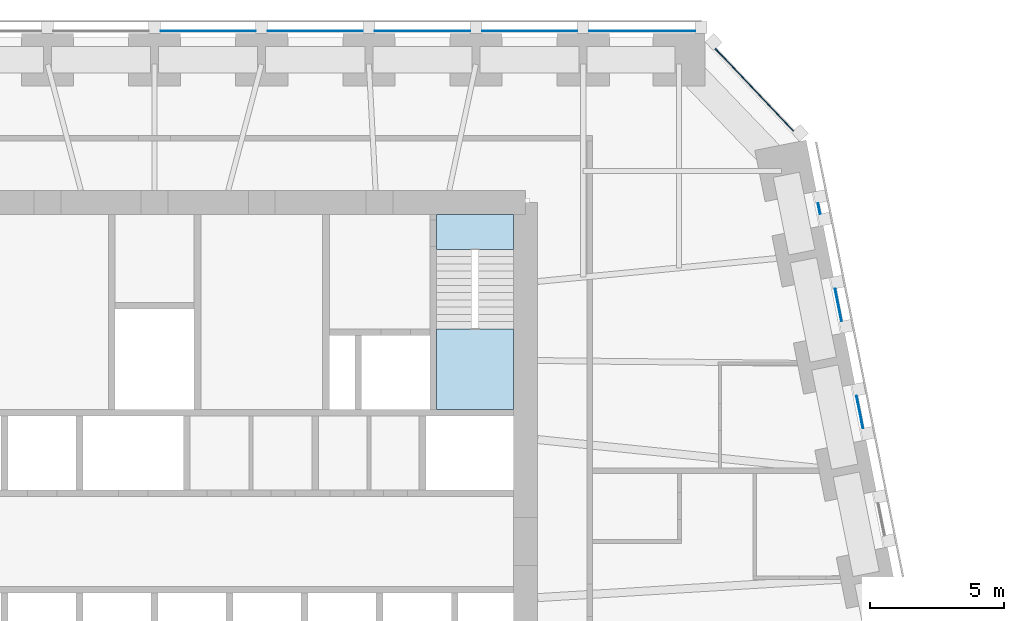
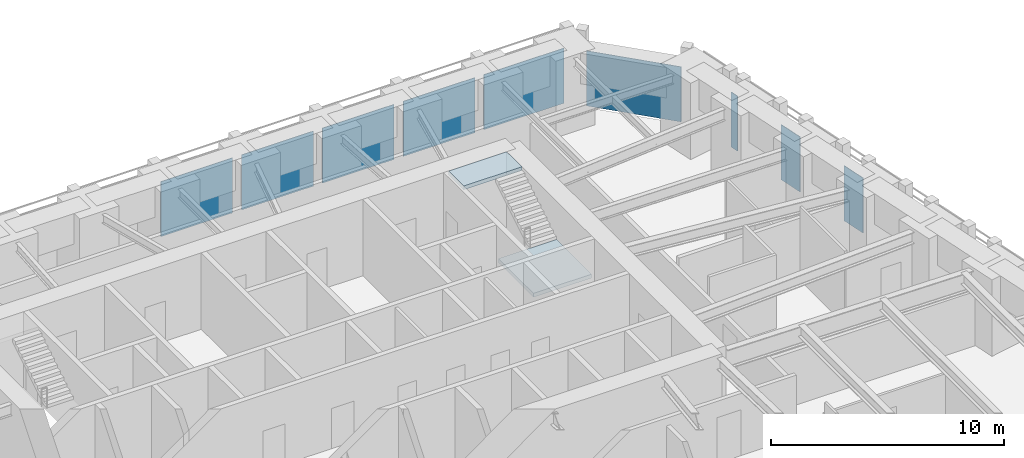
# One storey, part 11 of 16: 9 plates, 2 slabs, 6 elements without a shape of their own.
"""IFC4 building model written with IfcOpenShell, lengths in metres."""

import ifcopenshell
import ifcopenshell.guid

model = None  # the IFC model being written
_history = None  # IfcOwnerHistory: only IFC2X3 demands one
_inside = {}  # id of a spatial element -> (the spatial element, [elements in it])
_under = {}  # id of a project, library or spatial element -> (it, [spatial elements below it])
_declared = {}  # id of a project -> (the project, [libraries it declares])
_typed = {}  # id of a type object -> (the type object, [elements of that type])
_made_of = {}  # id of a material, layer set ... -> (it, [elements and type objects made of it])


def new_model(schema):
    """Start an empty IFC model of exactly this schema.

    Asked for "IFC4X3", IfcOpenShell would pick the latest addendum, in which some entities
    have other attributes; the version numbers below select the first issue.
    IFC2X3 requires an IfcOwnerHistory on every rooted entity: one is made here for all.
    """
    global model, _history
    if schema == "IFC4X3":
        model = ifcopenshell.file(schema_version=(4, 3, 0, 0))
    else:
        model = ifcopenshell.file(schema=schema)
    _inside.clear()
    _under.clear()
    _declared.clear()
    _typed.clear()
    _made_of.clear()
    _history = None
    if model.schema == "IFC2X3":
        org = make("IfcOrganization", Name="unknown")
        user = make(
            "IfcPersonAndOrganization",
            ThePerson=make("IfcPerson", FamilyName="unknown"),
            TheOrganization=org,
        )
        app = make(
            "IfcApplication",
            ApplicationDeveloper=org,
            Version="unknown",
            ApplicationFullName="unknown",
            ApplicationIdentifier="unknown",
        )
        _history = make(
            "IfcOwnerHistory",
            OwningUser=user,
            OwningApplication=app,
            ChangeAction="ADDED",
            CreationDate=0,
        )
    return model


def make(cls, **values):
    """One entity of the class cls with the attributes given. An attribute that is None is left unset."""
    return model.create_entity(
        cls, **{name: value for name, value in values.items() if value is not None}
    )


def rooted(cls, **values):
    """An entity with a GlobalId (a new one), such as an element, a storey or a relation."""
    return make(cls, GlobalId=ifcopenshell.guid.new(), OwnerHistory=_history, **values)


def si_unit(unit_type, name, prefix=None):
    """IfcSIUnit, for example si_unit("LENGTHUNIT", "METRE", prefix="MILLI")."""
    return make("IfcSIUnit", UnitType=unit_type, Prefix=prefix, Name=name)


def assignment(units):
    """IfcUnitAssignment: the units of a project."""
    return None if units is None else make("IfcUnitAssignment", Units=units)


def point(xyz):
    """IfcCartesianPoint."""
    return None if xyz is None else make("IfcCartesianPoint", Coordinates=xyz)


def direction(xyz):
    """IfcDirection."""
    return None if xyz is None else make("IfcDirection", DirectionRatios=xyz)


def frame(location, z_axis=None, x_axis=None):
    """IfcAxis2Placement3D, a coordinate frame: its origin and axes. An axis left out is left unset."""
    return make(
        "IfcAxis2Placement3D",
        Location=point(location),
        Axis=direction(z_axis),
        RefDirection=direction(x_axis),
    )


def frame_2d(location, x_axis=None):
    """IfcAxis2Placement2D, a coordinate frame in the plane: its origin and x axis."""
    return make(
        "IfcAxis2Placement2D", Location=point(location), RefDirection=direction(x_axis)
    )


def origin():
    """The frame at (0, 0, 0) with its axes left unset."""
    return frame((0.0, 0.0, 0.0))


def origin_2d():
    """The frame at (0, 0) in the plane with its x axis left unset."""
    return frame_2d((0.0, 0.0))


def place(relative_to, where):
    """IfcLocalPlacement: puts the frame where relative to a parent placement (None: the world)."""
    return make(
        "IfcLocalPlacement", PlacementRelTo=relative_to, RelativePlacement=where
    )


def context(
    kind, dimensions, precision=None, world=None, true_north=None, identifier=None
):
    """IfcGeometricRepresentationContext, for example the 3D "Model" context."""
    return make(
        "IfcGeometricRepresentationContext",
        ContextIdentifier=identifier,
        ContextType=kind,
        CoordinateSpaceDimension=dimensions,
        Precision=precision,
        WorldCoordinateSystem=world,
        TrueNorth=true_north,
    )


def subcontext(parent, identifier, kind, view, scale=None):
    """IfcGeometricRepresentationSubContext, for example "Body" below "Model"."""
    return make(
        "IfcGeometricRepresentationSubContext",
        ContextIdentifier=identifier,
        ContextType=kind,
        ParentContext=parent,
        TargetScale=scale,
        TargetView=view,
    )


def project(units=None, contexts=None):
    """IfcProject with its units and contexts."""
    return rooted(
        "IfcProject",
        Name="project",
        RepresentationContexts=contexts,
        UnitsInContext=assignment(units),
    )


def spatial(cls, under=None, at=None, **own):
    """A site, building, storey or space (cls), placed at a placement, below another one or the project."""
    s = rooted(cls, ObjectPlacement=at, **own)
    if under is not None:
        _under.setdefault(under.id(), (under, []))[1].append(s)
    return s


def polyline(points):
    """IfcPolyline through the points."""
    return make("IfcPolyline", Points=[point(p) for p in points])


def profile(cls, at=None, kind="AREA", **sizes):
    """A parametric profile (cls). Its sizes go by their IFC names, for example OverallWidth=200.0."""
    return make(cls, ProfileType=kind, Position=at, **sizes)


def rectangle(**sizes):
    """IfcRectangleProfileDef."""
    return profile("IfcRectangleProfileDef", **sizes)


def outline(outer, holes=None, kind="AREA"):
    """IfcArbitraryClosedProfileDef: a profile drawn as a closed curve; with holes, ...WithVoids."""
    if holes is None:
        return make("IfcArbitraryClosedProfileDef", ProfileType=kind, OuterCurve=outer)
    return make(
        "IfcArbitraryProfileDefWithVoids",
        ProfileType=kind,
        OuterCurve=outer,
        InnerCurves=holes,
    )


def extrude(swept, where, along, depth):
    """IfcExtrudedAreaSolid: the profile swept, set in the frame where, extruded along a direction by depth."""
    return make(
        "IfcExtrudedAreaSolid",
        SweptArea=swept,
        Position=where,
        ExtrudedDirection=direction(along),
        Depth=depth,
    )


def shape(context_of_items, identifier, shape_type, items):
    """IfcShapeRepresentation: the items that make up one representation, for example the "Body"."""
    return make(
        "IfcShapeRepresentation",
        ContextOfItems=context_of_items,
        RepresentationIdentifier=identifier,
        RepresentationType=shape_type,
        Items=items,
    )


def material(Name=None, Category=None):
    """IfcMaterial."""
    return make("IfcMaterial", Name=Name, Category=Category)


def layer(
    of_material, thickness, ventilated=None, Name=None, Category=None, Priority=None
):
    """IfcMaterialLayer: one layer of a wall or slab, of a material (None: an air gap)."""
    return make(
        "IfcMaterialLayer",
        Material=of_material,
        LayerThickness=thickness,
        IsVentilated=ventilated,
        Name=Name,
        Category=Category,
        Priority=Priority,
    )


def layer_set(layers, Name=None):
    """IfcMaterialLayerSet."""
    return make("IfcMaterialLayerSet", MaterialLayers=layers, LayerSetName=Name)


def made_of(thing, what):
    """Note that an element or type object is made of a material, layer set ...; save() writes the relation."""
    if what is not None:
        _made_of.setdefault(what.id(), (what, []))[1].append(thing)
    return thing


def type_object(cls, material=None, **own):
    """A type object (cls), such as IfcWallType, which elements share."""
    return made_of(rooted(cls, **own), material)


def element(
    cls,
    number,
    at=None,
    inside=None,
    cuts=None,
    type_object=None,
    material=None,
    context=None,
    identifier="Body",
    shape_type=None,
    held_by="IfcProductDefinitionShape",
    body=None,
    shapes=None,
    **own,
):
    """One element of the class cls, such as IfcWall. Its Tag is "e" and its number.

    at: its placement. inside: the storey or other place that contains it. cuts: it is an
    opening in that element (IfcRelVoidsElement). A single representation is given by context,
    identifier, shape_type and body (its items); several are given by shapes. held_by: the class
    of the entity that holds the representations. save() writes the other relations.
    """
    e = rooted(cls, Tag="e%d" % number, ObjectPlacement=at, **own)
    if body is not None:
        shapes = [shape(context, identifier, shape_type, body)]
    if shapes is not None:
        e.Representation = make(held_by, Representations=shapes)
    if inside is not None:
        _inside.setdefault(inside.id(), (inside, []))[1].append(e)
    if cuts is not None:
        rooted(
            "IfcRelVoidsElement", RelatingBuildingElement=cuts, RelatedOpeningElement=e
        )
    if type_object is not None:
        _typed.setdefault(type_object.id(), (type_object, []))[1].append(e)
    return made_of(e, material)


def aggregate(whole, parts):
    """IfcRelAggregates: a whole, such as a stair, and the parts it consists of."""
    return rooted("IfcRelAggregates", RelatingObject=whole, RelatedObjects=parts)


def save(model, path):
    """Write the relations noted so far, then the file.

    IfcRelAggregates (storeys below a building ...), IfcRelContainedInSpatialStructure (elements
    in a storey), IfcRelDefinesByType, IfcRelAssociatesMaterial and IfcRelDeclares: one each for
    every whole, place, type object, material and project.
    """
    for whole, parts in _under.values():
        aggregate(whole, parts)
    for where, things in _inside.values():
        rooted(
            "IfcRelContainedInSpatialStructure",
            RelatedElements=things,
            RelatingStructure=where,
        )
    for kind, things in _typed.values():
        rooted("IfcRelDefinesByType", RelatedObjects=things, RelatingType=kind)
    for what, things in _made_of.values():
        rooted("IfcRelAssociatesMaterial", RelatedObjects=things, RelatingMaterial=what)
    for by, libraries in _declared.values():
        rooted("IfcRelDeclares", RelatingContext=by, RelatedDefinitions=libraries)
    model.write(path)


model = new_model("IFC4")

# Units and contexts
model_context = context("Model", 3, precision=1e-05, world=origin(), true_north=direction((0.0, 1.0)))
body_context = subcontext(model_context, "Body", "Model", "MODEL_VIEW")
ifc_project = project(units=[si_unit("LENGTHUNIT", "METRE"), si_unit("AREAUNIT", "SQUARE_METRE"), si_unit("VOLUMEUNIT", "CUBIC_METRE"), si_unit("PLANEANGLEUNIT", "RADIAN"), si_unit("MASSUNIT", "GRAM", prefix="KILO")], contexts=[model_context])

# Site, building, storey
site_placement = place(None, origin())
site = spatial("IfcSite", under=ifc_project, at=site_placement, CompositionType="ELEMENT")
building_placement = place(site_placement, origin())
building = spatial("IfcBuilding", under=site, at=building_placement, Name="Isbrekke Arena Tower", CompositionType="ELEMENT")
storey_placement = place(building_placement, frame((0.0, 0.0, 36.0)))
storey = spatial("IfcBuildingStorey", under=building, at=storey_placement, Name="L06", CompositionType="ELEMENT", Elevation=36.0)

# Curtain wall, plate
ifc_material_1 = material(Name="Glazed aluminium curtain wall", Category="aluminium")
curtain_wall_type = type_object("IfcCurtainWallType", Name="CWL TOWER CURTAIN WALL LOW ZONE", PredefinedType="USERDEFINED", material=ifc_material_1)
curtain_wall_1_placement = place(storey_placement, origin())
curtain_wall_1 = element("IfcCurtainWall", 1, at=curtain_wall_1_placement, inside=storey, type_object=curtain_wall_type, Name="CWL curtain wall L06-E15", ObjectType="TOWER CURTAIN WALL LOW ZONE", PredefinedType="USERDEFINED")
ifc_material_2 = material(Name="Triple-glazed clear glass unit", Category="glass")
ifc_layer_1 = layer(ifc_material_2, 0.031982421875)
ifc_layer_set_1 = layer_set([ifc_layer_1], Name="CWL-P VISION PANEL")
plate_type = type_object("IfcPlateType", Name="CWL-P VISION PANEL", PredefinedType="CURTAIN_PANEL", material=ifc_layer_set_1)
plate_1_placement = place(storey_placement, frame((26.322509765625, 16.0244140625, 0.02001953125), z_axis=(0.0, 0.0, 1.0), x_axis=(-0.196116135138, 0.980580675691, 0.0)))
plate_1 = element("IfcPlate", 2, at=plate_1_placement, type_object=plate_type, Name="CWL-P panel 1", PredefinedType="CURTAIN_PANEL", context=body_context, shape_type="SweptSolid", body=[
    extrude(rectangle(XDim=1.229248046875, YDim=0.031982421875, at=origin_2d()), origin(), (0.0, 0.0, 1.0), 2.8798828125),
])
aggregate(curtain_wall_1, [plate_1])

curtain_wall_2_placement = place(storey_placement, origin())
curtain_wall_2 = element("IfcCurtainWall", 3, at=curtain_wall_2_placement, inside=storey, type_object=curtain_wall_type, Name="CWL curtain wall L06-E17", ObjectType="TOWER CURTAIN WALL LOW ZONE", PredefinedType="USERDEFINED")
plate_2_placement = place(storey_placement, frame((25.5224609375, 20.0244140625, 0.02001953125), z_axis=(0.0, 0.0, 1.0), x_axis=(-0.196116135138, 0.980580675691, 0.0)))
plate_2 = element("IfcPlate", 4, at=plate_2_placement, type_object=plate_type, Name="CWL-P panel 1", PredefinedType="CURTAIN_PANEL", context=body_context, shape_type="SweptSolid", body=[
    extrude(rectangle(XDim=1.229248046875, YDim=0.031982421875, at=origin_2d()), origin(), (0.0, 0.0, 1.0), 2.8798828125),
])
aggregate(curtain_wall_2, [plate_2])

curtain_wall_3_placement = place(storey_placement, origin())
curtain_wall_3 = element("IfcCurtainWall", 5, at=curtain_wall_3_placement, inside=storey, type_object=curtain_wall_type, Name="CWL curtain wall L06-E19", ObjectType="TOWER CURTAIN WALL LOW ZONE", PredefinedType="USERDEFINED")
plate_3_placement = place(storey_placement, frame((24.80322265625, 23.62109375, 0.02001953125), z_axis=(0.0, 0.0, 1.0), x_axis=(-0.196116135138, 0.980580675691, 0.0)))
plate_3 = element("IfcPlate", 6, at=plate_3_placement, type_object=plate_type, Name="CWL-P panel 1", PredefinedType="CURTAIN_PANEL", context=body_context, shape_type="SweptSolid", body=[
    extrude(rectangle(XDim=0.40625, YDim=0.031982421875, at=origin_2d()), origin(), (0.0, 0.0, 1.0), 2.8798828125),
])
aggregate(curtain_wall_3, [plate_3])

curtain_wall_4_placement = place(storey_placement, origin())
curtain_wall_4 = element("IfcCurtainWall", 7, at=curtain_wall_4_placement, inside=storey, type_object=curtain_wall_type, Name="CWL curtain wall L06-EN", ObjectType="TOWER CURTAIN WALL LOW ZONE", PredefinedType="USERDEFINED")
plate_4_placement = place(storey_placement, frame((22.386474609375, 28.05419921875, 0.02001953125), z_axis=(0.0, 0.0, 1.0), x_axis=(-0.68874946192, 0.72499943359, 0.0)))
plate_4 = element("IfcPlate", 8, at=plate_4_placement, type_object=plate_type, Name="CWL-P panel 1", PredefinedType="CURTAIN_PANEL", context=body_context, shape_type="SweptSolid", body=[
    extrude(rectangle(XDim=4.22900390625, YDim=0.031982421875, at=origin_2d()), origin(), (0.0, 0.0, 1.0), 2.8798828125),
])
aggregate(curtain_wall_4, [plate_4])

# Curtain wall, plates
curtain_wall_5_placement = place(storey_placement, origin())
curtain_wall_5 = element("IfcCurtainWall", 9, at=curtain_wall_5_placement, inside=storey, type_object=curtain_wall_type, Name="CWL curtain wall L06-N", ObjectType="TOWER CURTAIN WALL LOW ZONE", PredefinedType="USERDEFINED")
plate_5_placement = place(storey_placement, frame((18.199951171875, 30.25, 0.02001953125), z_axis=(0.0, 0.0, 1.0), x_axis=(-1.0, 0.0, 0.0)))
plate_5 = element("IfcPlate", 10, at=plate_5_placement, type_object=plate_type, Name="CWL-P panel 1", PredefinedType="CURTAIN_PANEL", context=body_context, shape_type="SweptSolid", body=[
    extrude(rectangle(XDim=3.949951171875, YDim=0.031982421875, at=origin_2d()), origin(), (0.0, 0.0, 1.0), 2.8798828125),
])
plate_6_placement = place(storey_placement, frame((14.0, 30.25, 0.02001953125), z_axis=(0.0, 0.0, 1.0), x_axis=(-1.0, 0.0, 0.0)))
plate_6 = element("IfcPlate", 11, at=plate_6_placement, type_object=plate_type, Name="CWL-P panel 2", PredefinedType="CURTAIN_PANEL", context=body_context, shape_type="SweptSolid", body=[
    extrude(rectangle(XDim=3.550048828125, YDim=0.031982421875, at=origin_2d()), origin(), (0.0, 0.0, 1.0), 2.8798828125),
])
plate_7_placement = place(storey_placement, frame((10.0, 30.25, 0.02001953125), z_axis=(0.0, 0.0, 1.0), x_axis=(-1.0, 0.0, 0.0)))
plate_7 = element("IfcPlate", 12, at=plate_7_placement, type_object=plate_type, Name="CWL-P panel 3", PredefinedType="CURTAIN_PANEL", context=body_context, shape_type="SweptSolid", body=[
    extrude(rectangle(XDim=3.550048828125, YDim=0.031982421875, at=origin_2d()), origin(), (0.0, 0.0, 1.0), 2.8798828125),
])
plate_8_placement = place(storey_placement, frame((6.0, 30.25, 0.02001953125), z_axis=(0.0, 0.0, 1.0), x_axis=(-1.0, 0.0, 0.0)))
plate_8 = element("IfcPlate", 13, at=plate_8_placement, type_object=plate_type, Name="CWL-P panel 4", PredefinedType="CURTAIN_PANEL", context=body_context, shape_type="SweptSolid", body=[
    extrude(rectangle(XDim=3.550048828125, YDim=0.031982421875, at=origin_2d()), origin(), (0.0, 0.0, 1.0), 2.8798828125),
])
plate_9_placement = place(storey_placement, frame((2.0, 30.25, 0.02001953125), z_axis=(0.0, 0.0, 1.0), x_axis=(-1.0, 0.0, 0.0)))
plate_9 = element("IfcPlate", 14, at=plate_9_placement, type_object=plate_type, Name="CWL-P panel 5", PredefinedType="CURTAIN_PANEL", context=body_context, shape_type="SweptSolid", body=[
    extrude(rectangle(XDim=3.550048828125, YDim=0.031982421875, at=origin_2d()), origin(), (0.0, 0.0, 1.0), 2.8798828125),
])
aggregate(curtain_wall_5, [plate_5, plate_6, plate_7, plate_8, plate_9])

# Stair, slabs
ifc_material_3 = material(Name="Concrete B45 (C45/55) precast", Category="concrete")
stair_type = type_object("IfcStairType", Name="ST40 STAIR 1300 WIDE, 24 RISERS 167", PredefinedType="HALF_TURN_STAIR", material=ifc_material_3)
stair_placement = place(storey_placement, origin())
stair = element("IfcStair", 15, at=stair_placement, inside=storey, type_object=stair_type, Name="ST2 stair L06", PredefinedType="HALF_TURN_STAIR")
ifc_material_4 = material(Name="Concrete B35 (C35/45)", Category="concrete")
ifc_layer_2 = layer(ifc_material_4, 0.199951171875)
ifc_layer_set_2 = layer_set([ifc_layer_2], Name="SL1 STAIR LANDING 200")
slab_type = type_object("IfcSlabType", Name="SL1 STAIR LANDING 200", PredefinedType="LANDING", material=ifc_layer_set_2)
slab_1_placement = place(storey_placement, frame((0.0, 0.0, 1.800048828125)))
slab_1 = element("IfcSlab", 16, at=slab_1_placement, type_object=slab_type, Name="ST2 landing 1", PredefinedType="LANDING", context=body_context, shape_type="SweptSolid", body=[
    extrude(outline(polyline([(10.52490234375, 16.125), (13.39990234375, 16.125), (13.39990234375, 19.1298828125), (10.52490234375, 19.1298828125), (10.52490234375, 16.125)])), origin(), (0.0, 0.0, 1.0), 0.199951171875),
])
slab_2_placement = place(storey_placement, frame((0.0, 0.0, 3.800048828125)))
slab_2 = element("IfcSlab", 17, at=slab_2_placement, type_object=slab_type, Name="ST2 landing 2", PredefinedType="LANDING", context=body_context, shape_type="SweptSolid", body=[
    extrude(outline(polyline([(10.52490234375, 22.10009765625), (13.39990234375, 22.10009765625), (13.39990234375, 23.39990234375), (10.52490234375, 23.39990234375), (10.52490234375, 22.10009765625)])), origin(), (0.0, 0.0, 1.0), 0.199951171875),
])
aggregate(stair, [slab_1, slab_2])

save(model, "model.ifc")
